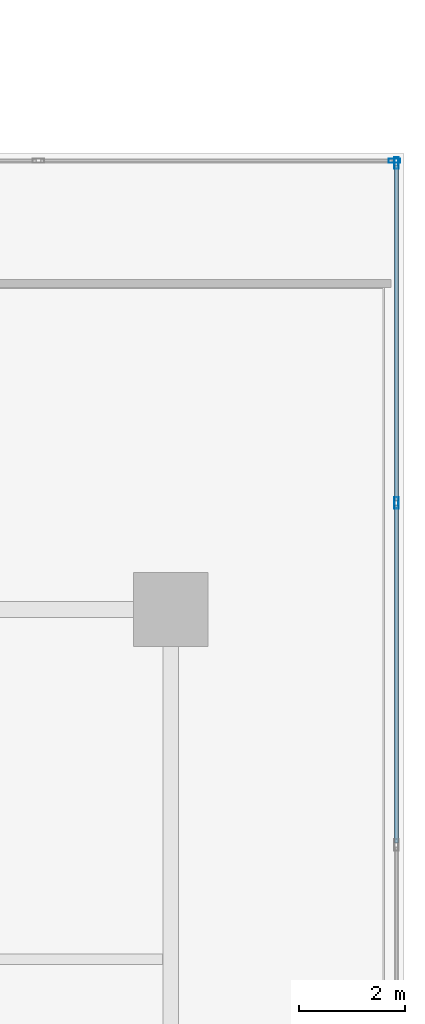
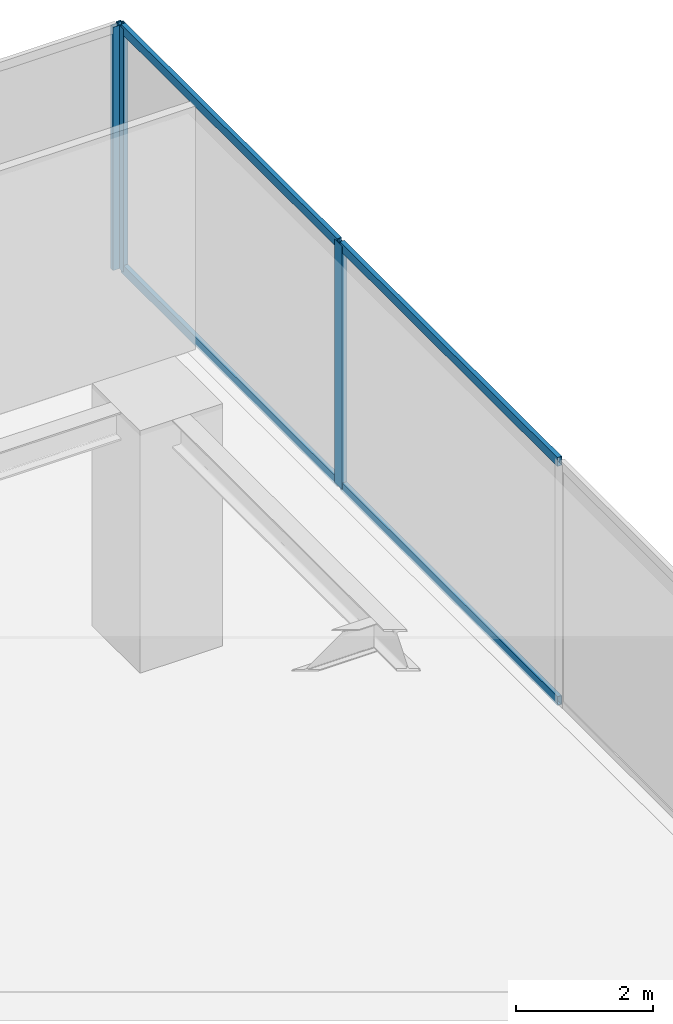
# One storey, part 10 of 18: 7 members, 2 elements without a shape of their own.
"""IFC4 building model written with IfcOpenShell, lengths in metres."""

from ifc_helpers import new_model, si_unit, direction, frame, origin, origin_with_axes, origin_2d, place, context, subcontext, project, spatial, hollow_rectangle, extrude, source, transform, mapped, material, layer, layer_set, material_profile, profile_set, type_object, element, aggregate, save


model = new_model("IFC4")

# Units and contexts
model_context = context("Model", 3, precision=1e-05, world=origin(), true_north=direction((0.0, 1.0)))
body_context = subcontext(model_context, "Body", "Model", "MODEL_VIEW")
ifc_project = project(units=[si_unit("LENGTHUNIT", "METRE"), si_unit("AREAUNIT", "SQUARE_METRE"), si_unit("VOLUMEUNIT", "CUBIC_METRE"), si_unit("PLANEANGLEUNIT", "RADIAN"), si_unit("MASSUNIT", "GRAM", prefix="KILO")], contexts=[model_context])

# Site, building, storey
site_placement = place(None, origin())
site = spatial("IfcSite", under=ifc_project, at=site_placement, CompositionType="ELEMENT")
building_placement = place(site_placement, origin())
building = spatial("IfcBuilding", under=site, at=building_placement, Name="Kolvaren Waterfront Exchange", CompositionType="ELEMENT")
storey_placement = place(building_placement, frame((0.0, 0.0, 24.800048828125)))
storey = spatial("IfcBuildingStorey", under=building, at=storey_placement, Name="L06", CompositionType="ELEMENT", Elevation=24.800048828125)

# Curtain wall, members
ifc_material_1 = material(Name="Anodised bronze aluminium 6063-T6", Category="aluminium")
ifc_layer = layer(ifc_material_1, 0.219970703125, Name="Anodised bronze aluminium 6063-T6")
ifc_layer_set = layer_set([ifc_layer], Name="Anodised bronze aluminium 6063-T6")
curtain_wall_type = type_object("IfcCurtainWallType", Name="ARC-CW-SYS4", PredefinedType="USERDEFINED", material=ifc_layer_set)
curtain_wall_1_placement = place(storey_placement, origin())
curtain_wall_1 = element("IfcCurtainWall", 1, at=curtain_wall_1_placement, inside=storey, type_object=curtain_wall_type, Name="L06 stick curtain wall CW4 (CW-L06-E1)", ObjectType="STICK CURTAIN WALL", PredefinedType="USERDEFINED")
ifc_material_2 = material(Name="Anodised aluminium 6063-T6", Category="aluminium")
ifc_material_profile_1 = material_profile(ifc_material_2, hollow_rectangle(XDim=0.074951171875, YDim=0.159912109375, WallThickness=0.00439453125, at=origin_2d()), Name="ALU-TRN-160x75x4.5")
ifc_profile_set_1 = profile_set([ifc_material_profile_1], Name="Anodised aluminium 6063-T6")
member_type_1 = type_object("IfcMemberType", Name="ARC-CWT-160", PredefinedType="USERDEFINED", material=ifc_profile_set_1)
shared_shape_1 = source(origin_with_axes(), body_context, "Body", "SweptSolid", [
    extrude(hollow_rectangle(XDim=0.074951171875, YDim=0.159912109375, WallThickness=0.00439453125, at=origin_2d()), origin(), (0.0, 0.0, 1.0), 6.37158203125),
])
member_1_placement = place(storey_placement, frame((64.659912109375, 26.19677734375, 0.037353515625), z_axis=(0.0, 1.0, 0.0), x_axis=(-1.0, 0.0, 0.0)))
member_1 = element("IfcMember", 2, at=member_1_placement, type_object=member_type_1, Name="CW4 transom 5.1", ObjectType="TRANSOM", PredefinedType="USERDEFINED", context=body_context, shape_type="MappedRepresentation", body=[
    mapped(shared_shape_1, transform((0.0, 0.0, 0.0), x_axis=(1.0, 0.0, 0.0), y_axis=(0.0, 1.0, 0.0), z_axis=(0.0, 0.0, 1.0), scale=1.0)),
])
member_2_placement = place(storey_placement, frame((64.659912109375, 26.19677734375, 4.3125), z_axis=(0.0, 1.0, 0.0), x_axis=(-1.0, 0.0, 0.0)))
member_2 = element("IfcMember", 3, at=member_2_placement, type_object=member_type_1, Name="CW4 transom 5.2", ObjectType="TRANSOM", PredefinedType="USERDEFINED", context=body_context, shape_type="MappedRepresentation", body=[
    mapped(shared_shape_1, transform((0.0, 0.0, 0.0), x_axis=(1.0, 0.0, 0.0), y_axis=(0.0, 1.0, 0.0), z_axis=(0.0, 0.0, 1.0), scale=1.0)),
])
shared_shape_2 = source(origin_with_axes(), body_context, "Body", "SweptSolid", [
    extrude(hollow_rectangle(XDim=0.074951171875, YDim=0.159912109375, WallThickness=0.00439453125, at=origin_2d()), origin(), (0.0, 0.0, 1.0), 6.33154296875),
])
member_3_placement = place(storey_placement, frame((64.659912109375, 32.6484375, 0.037353515625), z_axis=(0.0, 1.0, 0.0), x_axis=(-1.0, 0.0, 0.0)))
member_3 = element("IfcMember", 4, at=member_3_placement, type_object=member_type_1, Name="CW4 transom 6.1", ObjectType="TRANSOM", PredefinedType="USERDEFINED", context=body_context, shape_type="MappedRepresentation", body=[
    mapped(shared_shape_2, transform((0.0, 0.0, 0.0), x_axis=(1.0, 0.0, 0.0), y_axis=(0.0, 1.0, 0.0), z_axis=(0.0, 0.0, 1.0), scale=1.0)),
])
member_4_placement = place(storey_placement, frame((64.659912109375, 32.6484375, 4.3125), z_axis=(0.0, 1.0, 0.0), x_axis=(-1.0, 0.0, 0.0)))
member_4 = element("IfcMember", 5, at=member_4_placement, type_object=member_type_1, Name="CW4 transom 6.2", ObjectType="TRANSOM", PredefinedType="USERDEFINED", context=body_context, shape_type="MappedRepresentation", body=[
    mapped(shared_shape_2, transform((0.0, 0.0, 0.0), x_axis=(1.0, 0.0, 0.0), y_axis=(0.0, 1.0, 0.0), z_axis=(0.0, 0.0, 1.0), scale=1.0)),
])
ifc_material_profile_2 = material_profile(ifc_material_2, hollow_rectangle(XDim=0.080078125, YDim=0.219970703125, WallThickness=0.0048828125, at=origin_2d()), Name="ALU-MUL-220x80x5")
ifc_profile_set_2 = profile_set([ifc_material_profile_2], Name="Anodised aluminium 6063-T6")
member_type_2 = type_object("IfcMemberType", Name="ARC-CWM-220", PredefinedType="MULLION", material=ifc_profile_set_2)
shared_shape_3 = source(origin_with_axes(), body_context, "Body", "SweptSolid", [
    extrude(hollow_rectangle(XDim=0.080078125, YDim=0.219970703125, WallThickness=0.0048828125, at=origin_2d()), origin(), (0.0, 0.0, 1.0), 4.349853515625),
])
member_5_placement = place(storey_placement, frame((64.659912109375, 32.6083984375, 0.0), z_axis=(0.0, 0.0, 1.0), x_axis=(-1.0, 0.0, 0.0)))
member_5 = element("IfcMember", 6, at=member_5_placement, type_object=member_type_2, Name="CW4 mullion 6", PredefinedType="MULLION", context=body_context, shape_type="MappedRepresentation", body=[
    mapped(shared_shape_3, transform((0.0, 0.0, 0.0), x_axis=(1.0, 0.0, 0.0), y_axis=(0.0, 1.0, 0.0), z_axis=(0.0, 0.0, 1.0), scale=1.0)),
])
member_6_placement = place(storey_placement, frame((64.659912109375, 39.02001953125, 0.0), z_axis=(0.0, 0.0, 1.0), x_axis=(-1.0, 0.0, 0.0)))
member_6 = element("IfcMember", 7, at=member_6_placement, type_object=member_type_2, Name="CW4 mullion 7", PredefinedType="MULLION", context=body_context, shape_type="MappedRepresentation", body=[
    mapped(shared_shape_3, transform((0.0, 0.0, 0.0), x_axis=(1.0, 0.0, 0.0), y_axis=(0.0, 1.0, 0.0), z_axis=(0.0, 0.0, 1.0), scale=1.0)),
])
aggregate(curtain_wall_1, [member_5, member_6, member_1, member_2, member_3, member_4])

# Curtain wall, member
curtain_wall_2_placement = place(storey_placement, origin())
curtain_wall_2 = element("IfcCurtainWall", 8, at=curtain_wall_2_placement, inside=storey, type_object=curtain_wall_type, Name="L06 stick curtain wall CW4 (CW-L06-E2)", ObjectType="STICK CURTAIN WALL", PredefinedType="USERDEFINED")
member_7_placement = place(storey_placement, frame((64.6201171875, 39.06005859375, 0.0), z_axis=(0.0, 0.0, 1.0), x_axis=(0.0, -1.0, 0.0)))
member_7 = element("IfcMember", 9, at=member_7_placement, type_object=member_type_2, Name="CW4 mullion 1", PredefinedType="MULLION", context=body_context, shape_type="MappedRepresentation", body=[
    mapped(shared_shape_3, transform((0.0, 0.0, 0.0), x_axis=(1.0, 0.0, 0.0), y_axis=(0.0, 1.0, 0.0), z_axis=(0.0, 0.0, 1.0), scale=1.0)),
])
aggregate(curtain_wall_2, [member_7])

save(model, "model.ifc")
